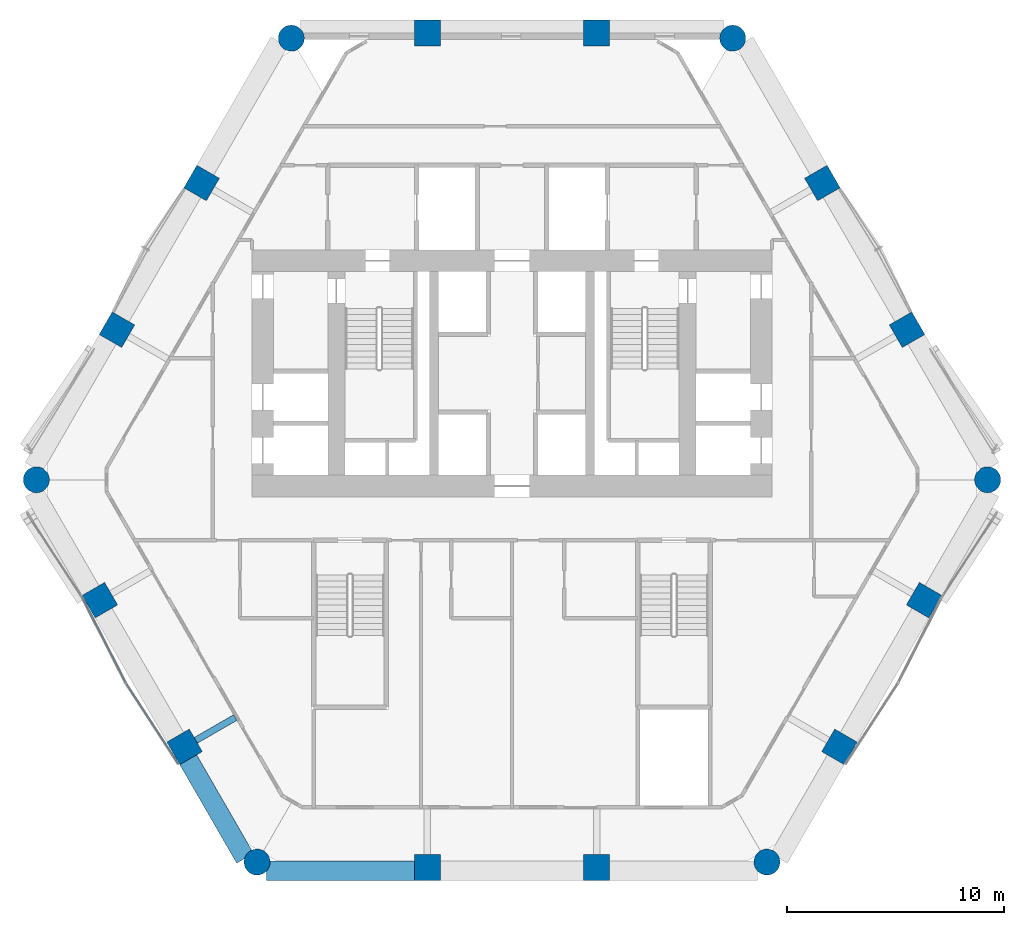
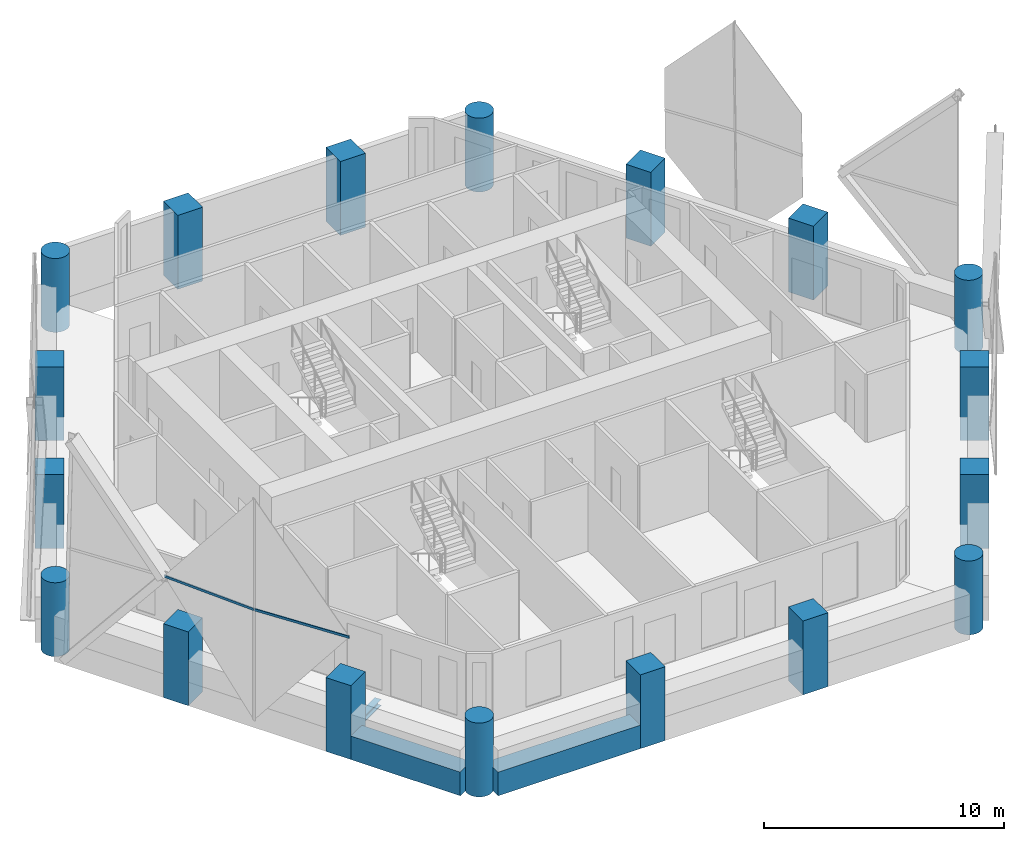
# One storey, part 1 of 17: 18 columns, 3 beams, 2 members, 1 element without a shape of its own.
"""IFC4 building model written with IfcOpenShell, lengths in metres."""

from ifc_helpers import new_model, si_unit, direction, frame, origin, origin_2d, place, context, subcontext, project, spatial, rectangle, hollow_rectangle, circle, i_section, extrude, material, material_profile, profile_set, type_object, element, aggregate, save


model = new_model("IFC4")

# Units and contexts
model_context = context("Model", 3, precision=1e-05, world=origin(), true_north=direction((0.0, 1.0)))
body_context = subcontext(model_context, "Body", "Model", "MODEL_VIEW")
ifc_project = project(units=[si_unit("LENGTHUNIT", "METRE"), si_unit("AREAUNIT", "SQUARE_METRE"), si_unit("VOLUMEUNIT", "CUBIC_METRE"), si_unit("PLANEANGLEUNIT", "RADIAN"), si_unit("MASSUNIT", "GRAM", prefix="KILO")], contexts=[model_context])

# Site, building, storey
site_placement = place(None, origin())
site = spatial("IfcSite", under=ifc_project, at=site_placement, CompositionType="ELEMENT")
building_placement = place(site_placement, origin())
building = spatial("IfcBuilding", under=site, at=building_placement, Name="Ostrander Bayou Hotel Tower", CompositionType="ELEMENT")
storey_placement = place(building_placement, frame((0.0, 0.0, 127.25)))
storey = spatial("IfcBuildingStorey", under=building, at=storey_placement, Name="L31", CompositionType="ELEMENT", Elevation=127.25)

# Columns
ifc_material_1 = material(Name="Concrete f'c 70 MPa", Category="concrete")
ifc_material_profile_1 = material_profile(ifc_material_1, circle(Radius=0.60009765625, at=origin_2d()))
ifc_profile_set_1 = profile_set([ifc_material_profile_1], Name="Concrete f'c 70 MPa")
column_type_1 = type_object("IfcColumnType", Name="C3 round column 1200 mm f'c 70 MPa", PredefinedType="COLUMN", material=ifc_profile_set_1)
for number, where, z_axis, x_axis, name in (
    (1, (-10.1826171875, 19.458740234375, -1.199951171875), (0.0, 0.0, 1.0), (1.0, 0.0, 0.0), "C3 L31 K0"),
    (2, (-21.943115234375, -0.910888671875, -1.199951171875), (0.0, 0.0, 1.0), (1.0, 0.0, 0.0), "C3 L31 K1"),
    (3, (-11.760498046875, -18.5478515625, -1.199951171875), (0.0, 0.0, 1.0), (1.0, 0.0, 0.0), "C3 L31 K2"),
    (4, (11.760498046875, -18.5478515625, -1.199951171875), (0.0, 0.0, 1.0), (1.0, 0.0, 0.0), "C3 L31 K3"),
    (5, (21.943115234375, -0.910888671875, -1.199951171875), (0.0, 0.0, 1.0), (1.0, 0.0, 0.0), "C3 L31 K4"),
    (6, (10.1826171875, 19.458740234375, -1.199951171875), (0.0, 0.0, 1.0), (1.0, 0.0, 0.0), "C3 L31 K5"),
):
    element("IfcColumn", number, at=place(storey_placement, frame(where, z_axis=z_axis, x_axis=x_axis)), inside=storey, type_object=column_type_1, Name=name, PredefinedType="COLUMN", context=body_context, shape_type="SweptSolid", body=[
        extrude(circle(Radius=0.60009765625, at=origin_2d()), origin(), (0.0, 0.0, 1.0), 3.75),
    ])
ifc_material_2 = material(Name="Concrete f'c 70 MPa", Category="concrete")
ifc_material_profile_2 = material_profile(ifc_material_2, rectangle(XDim=1.199951171875, YDim=1.199951171875, at=origin_2d()))
ifc_profile_set_2 = profile_set([ifc_material_profile_2], Name="Concrete f'c 70 MPa")
column_type_2 = type_object("IfcColumnType", Name="C4 square column 1200 x 1200 mm f'c 70 MPa", PredefinedType="COLUMN", material=ifc_profile_set_2)
for number, where, z_axis, x_axis, name in (
    (7, (3.90673828125, 19.699951171875, -1.199951171875), (0.0, 0.0, 1.0), (1.0, 0.0, 0.0), "C4 L31 N1"),
    (8, (-3.90673828125, 19.699951171875, -1.199951171875), (0.0, 0.0, 1.0), (1.0, 0.0, 0.0), "C4 L31 N2"),
    (9, (-14.318359375, 12.77783203125, -1.199951171875), (0.0, 0.0, 1.0), (0.5, 0.866025403784, 0.0), "C4 L31 NW1"),
    (10, (-18.22509765625, 6.01123046875, -1.199951171875), (0.0, 0.0, 1.0), (0.5, 0.866025403784, 0.0), "C4 L31 NW2"),
    (11, (-19.01416015625, -6.466796875, -1.199951171875), (0.0, 0.0, 1.0), (-0.5, 0.866025403784, 0.0), "C4 L31 SW1"),
    (12, (-15.107421875, -13.2333984375, -1.199951171875), (0.0, 0.0, 1.0), (-0.5, 0.866025403784, 0.0), "C4 L31 SW2"),
    (13, (-3.90673828125, -18.7890625, -1.199951171875), (0.0, 0.0, 1.0), (-1.0, 0.0, 0.0), "C4 L31 S1"),
    (14, (3.90673828125, -18.7890625, -1.199951171875), (0.0, 0.0, 1.0), (-1.0, 0.0, 0.0), "C4 L31 S2"),
    (15, (15.107421875, -13.2333984375, -1.199951171875), (0.0, 0.0, 1.0), (-0.5, -0.866025403784, 0.0), "C4 L31 SE1"),
    (16, (19.01416015625, -6.466796875, -1.199951171875), (0.0, 0.0, 1.0), (-0.5, -0.866025403784, 0.0), "C4 L31 SE2"),
    (17, (18.22509765625, 6.01123046875, -1.199951171875), (0.0, 0.0, 1.0), (0.5, -0.866025403784, 0.0), "C4 L31 NE1"),
    (18, (14.318359375, 12.77783203125, -1.199951171875), (0.0, 0.0, 1.0), (0.5, -0.866025403784, 0.0), "C4 L31 NE2"),
):
    element("IfcColumn", number, at=place(storey_placement, frame(where, z_axis=z_axis, x_axis=x_axis)), inside=storey, type_object=column_type_2, Name=name, PredefinedType="COLUMN", context=body_context, shape_type="SweptSolid", body=[
        extrude(rectangle(XDim=1.199951171875, YDim=1.199951171875, at=origin_2d()), origin(), (0.0, 0.0, 1.0), 3.75),
    ])

# Curtain wall, members
ifc_material_3 = material(Name="Aluminium and clear glass", Category="aluminium")
curtain_wall_type = type_object("IfcCurtainWallType", Name="CW-LAT lattice glazing", PredefinedType="NOTDEFINED", material=ifc_material_3)
curtain_wall_placement = place(storey_placement, origin())
curtain_wall = element("IfcCurtainWall", 19, at=curtain_wall_placement, inside=storey, type_object=curtain_wall_type, Name="CW-LAT L31 SW 2", PredefinedType="NOTDEFINED")
ifc_material_4 = material(Name="Aluminium", Category="aluminium")
ifc_material_profile_3 = material_profile(ifc_material_4, hollow_rectangle(XDim=0.06005859375, YDim=0.1201171875, WallThickness=0.00390625, at=origin_2d()))
ifc_profile_set_3 = profile_set([ifc_material_profile_3], Name="Aluminium")
member_type = type_object("IfcMemberType", Name="CW-LA transom 60 x 120 mm", PredefinedType="USERDEFINED", material=ifc_profile_set_3)
member_1_placement = place(storey_placement, frame((-17.814208984375, -10.284912109375, 5.02490234375), z_axis=(-0.453236335854, 0.891390388024, 0.0), x_axis=(-0.891390388024, -0.453236335854, 0.0)))
member_1 = element("IfcMember", 20, at=member_1_placement, type_object=member_type, Name="CW-LAT transom 6", ObjectType="TRANSOM", PredefinedType="USERDEFINED", context=body_context, shape_type="SweptSolid", body=[
    extrude(hollow_rectangle(XDim=0.06005859375, YDim=0.1201171875, WallThickness=0.00390625, at=origin_2d()), origin(), (0.0, 0.0, 1.0), 4.451416015625),
])
member_2_placement = place(storey_placement, frame((-17.814208984375, -10.284912109375, 5.02490234375), z_axis=(0.545325633077, -0.838224286161, 0.0), x_axis=(0.838224286161, 0.545325633077, 0.0)))
member_2 = element("IfcMember", 21, at=member_2_placement, type_object=member_type, Name="CW-LAT transom 7", ObjectType="TRANSOM", PredefinedType="USERDEFINED", context=body_context, shape_type="SweptSolid", body=[
    extrude(hollow_rectangle(XDim=0.06005859375, YDim=0.1201171875, WallThickness=0.00390625, at=origin_2d()), origin(), (0.0, 0.0, 1.0), 4.451904296875),
])
aggregate(curtain_wall, [member_1, member_2])

# Beams
ifc_material_5 = material(Name="Steel ASTM A992", Category="steel")
ifc_material_profile_4 = material_profile(ifc_material_5, i_section(OverallWidth=0.3046875, OverallDepth=0.307861328125, WebThickness=0.010009765625, FlangeThickness=0.015380859375, at=origin_2d()))
ifc_profile_set_4 = profile_set([ifc_material_profile_4], Name="Steel ASTM A992")
beam_type_1 = type_object("IfcBeamType", Name="LB1 loggia bracket W12x65", PredefinedType="BEAM", material=ifc_profile_set_4)
beam_1_placement = place(storey_placement, frame((-14.587646484375, -12.933349609375, -0.453857421875), z_axis=(0.866009402589, 0.500027713859, 0.0), x_axis=(-0.500027713859, 0.866009402589, 0.0)))
element("IfcBeam", 22, at=beam_1_placement, inside=storey, type_object=beam_type_1, Name="LB1 L31 SW2", PredefinedType="BEAM", context=body_context, shape_type="SweptSolid", body=[
    extrude(i_section(OverallWidth=0.3046875, OverallDepth=0.307861328125, WebThickness=0.010009765625, FlangeThickness=0.015380859375, at=origin_2d()), origin(), (0.0, 0.0, 1.0), 2.10009765625),
])
ifc_material_6 = material(Name="Concrete f'c 70 MPa", Category="concrete")
ifc_material_profile_5 = material_profile(ifc_material_6, rectangle(XDim=0.89990234375, YDim=1.199951171875, at=origin_2d()))
ifc_profile_set_5 = profile_set([ifc_material_profile_5], Name="Concrete f'c 70 MPa")
beam_type_2 = type_object("IfcBeamType", Name="SP2 spandrel beam 900 x 1200 mm f'c 70 MPa", PredefinedType="SPANDREL", material=ifc_profile_set_5)
beam_2_placement = place(storey_placement, frame((-14.9521484375, -13.802001953125, -0.60009765625), z_axis=(0.499982573574, -0.866035464703, 0.0), x_axis=(0.866035464703, 0.499982573574, 0.0)))
element("IfcBeam", 23, at=beam_2_placement, inside=storey, type_object=beam_type_2, Name="SP2 L31 SW-3", PredefinedType="SPANDREL", context=body_context, shape_type="SweptSolid", body=[
    extrude(rectangle(XDim=0.89990234375, YDim=1.199951171875, at=origin_2d()), origin(), (0.0, 0.0, 1.0), 5.281005859375),
])
beam_3_placement = place(storey_placement, frame((-11.335693359375, -18.93896484375, -0.60009765625), z_axis=(1.0, 0.0, 0.0), x_axis=(0.0, 1.0, 0.0)))
element("IfcBeam", 24, at=beam_3_placement, inside=storey, type_object=beam_type_2, Name="SP2 L31 S-1", PredefinedType="SPANDREL", context=body_context, shape_type="SweptSolid", body=[
    extrude(rectangle(XDim=0.89990234375, YDim=1.199951171875, at=origin_2d()), origin(), (0.0, 0.0, 1.0), 6.85888671875),
])

save(model, "model.ifc")
